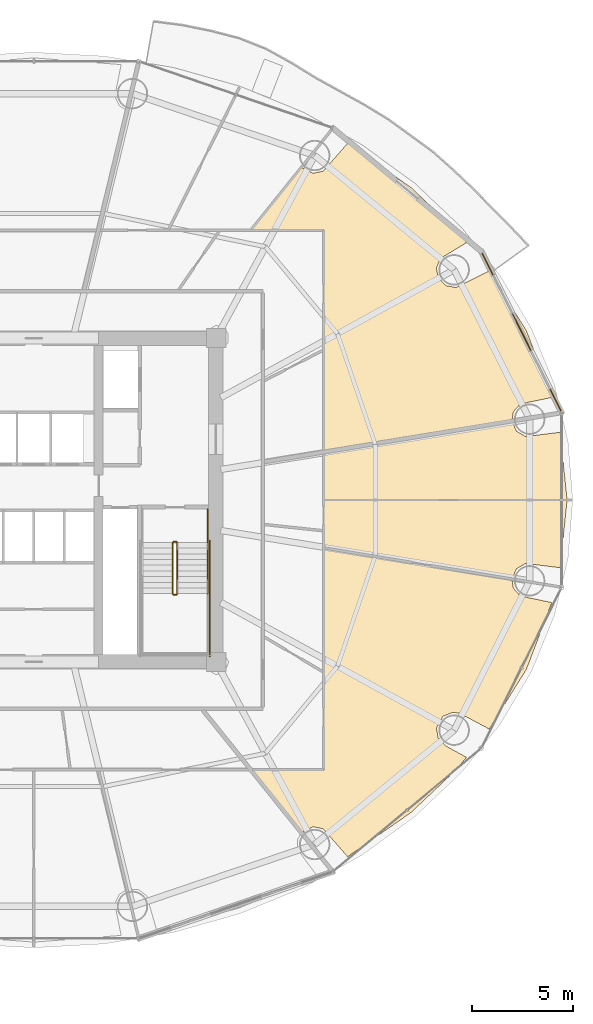
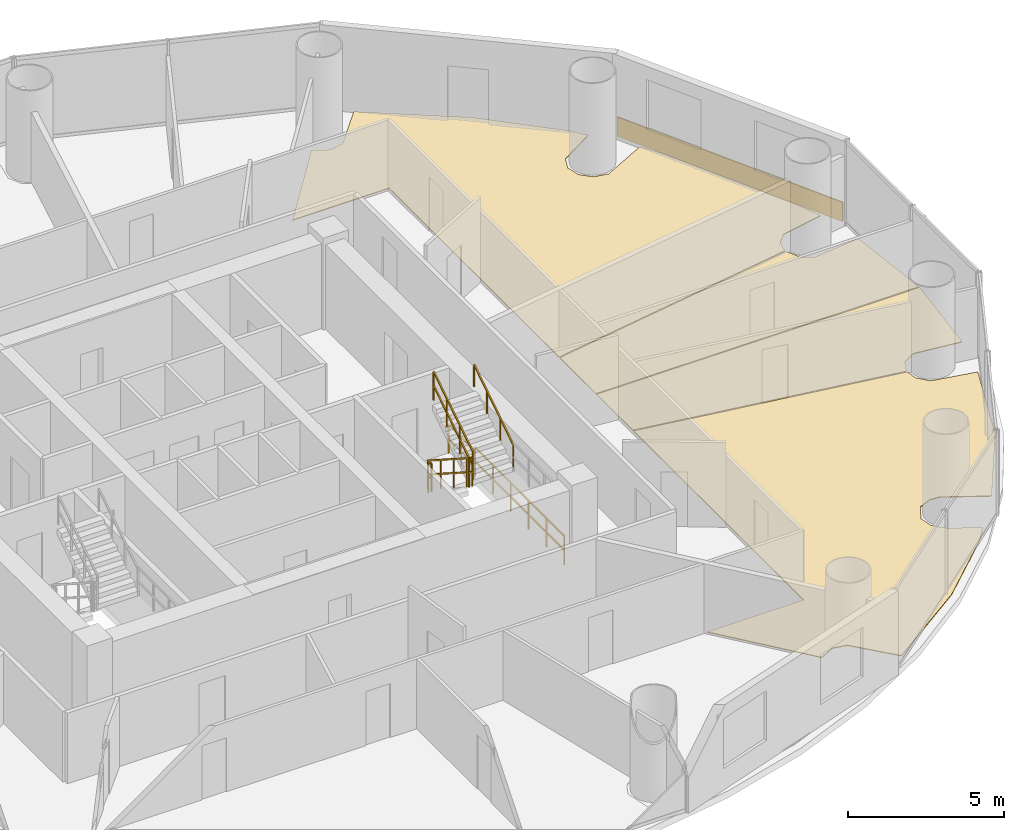
# One storey, part 28 of 29: 7 railings, 5 coverings.
"""IFC4 building model written with IfcOpenShell, lengths in metres."""

from ifc_helpers import new_model, si_unit, direction, frame, origin, origin_2d, place, context, subcontext, project, spatial, polyline, rectangle, outline, extrude, source, transform, mapped, material, layer, layer_set, type_object, element, save


model = new_model("IFC4")

# Units and contexts
model_context = context("Model", 3, precision=1e-05, world=origin(), true_north=direction((-0.2419218956, 0.970295726276)))
body_context = subcontext(model_context, "Body", "Model", "MODEL_VIEW")
ifc_project = project(units=[si_unit("LENGTHUNIT", "METRE"), si_unit("AREAUNIT", "SQUARE_METRE"), si_unit("VOLUMEUNIT", "CUBIC_METRE"), si_unit("PLANEANGLEUNIT", "RADIAN"), si_unit("MASSUNIT", "GRAM", prefix="KILO")], contexts=[model_context])

# Site, building, storey
site_placement = place(None, origin())
site = spatial("IfcSite", under=ifc_project, at=site_placement, CompositionType="ELEMENT")
building_placement = place(site_placement, origin())
building = spatial("IfcBuilding", under=site, at=building_placement, Name="Cobrevalo Terracotta Tower", CompositionType="ELEMENT")
storey_placement = place(building_placement, frame((0.0, 0.0, 123.0)))
storey = spatial("IfcBuildingStorey", under=building, at=storey_placement, Name="L32", CompositionType="ELEMENT", Elevation=123.0)

# Coverings
ifc_material_1 = material(Name="Engineered Brazilian hardwood flooring", Category="wood")
ifc_layer_1 = layer(ifc_material_1, 0.028076171875)
ifc_layer_set_1 = layer_set([ifc_layer_1], Name="Engineered Brazilian hardwood flooring")
covering_type_1 = type_object("IfcCoveringType", Name="Engineered Hardwood Suite Flooring 28", PredefinedType="FLOORING", material=ifc_layer_set_1)
covering_1_placement = place(storey_placement, origin())
element("IfcCovering", 1, at=covering_1_placement, inside=storey, type_object=covering_type_1, Name="Flat L32A Penthouse Living and Dining Room floor finish", PredefinedType="FLOORING", context=body_context, shape_type="SweptSolid", body=[
    extrude(outline(polyline([(56.6123046875, 42.227783203125), (58.882080078125, 40.081787109375), (59.35302734375, 39.49755859375), (58.05908203125, 38.712890625), (57.868408203125, 38.23876953125), (57.97314453125, 37.73876953125), (58.338134765625, 37.381103515625), (58.84033203125, 37.286376953125), (60.474853515625, 38.10546875), (62.317138671875, 35.14892578125), (63.564208984375, 31.859619140625), (62.00732421875, 31.537841796875), (61.669677734375, 31.154541015625), (61.597412109375, 30.719970703125), (52.324951171875, 29.187744140625), (52.324951171875, 40.125), (48.7421875, 40.125), (51.219970703125, 43.2060546875), (51.778076171875, 42.927490234375), (52.27880859375, 43.02880859375), (53.488525390625, 44.40673828125), (56.6123046875, 42.227783203125)])), origin(), (0.0, 0.0, 1.0), 0.030029296875),
])
covering_2_placement = place(storey_placement, origin())
element("IfcCovering", 2, at=covering_2_placement, inside=storey, type_object=covering_type_1, Name="Flat L32E Penthouse Living and Dining Room floor finish", PredefinedType="FLOORING", context=body_context, shape_type="SweptSolid", body=[
    extrude(outline(polyline([(60.474853515625, 15.49462890625), (59.00927734375, 16.278076171875), (58.667724609375, 16.315185546875), (58.19384765625, 16.12451171875), (57.8701171875, 15.53369140625), (57.96484375, 15.03173828125), (58.321533203125, 14.667236328125), (59.35302734375, 14.102294921875), (58.882080078125, 13.518310546875), (56.6123046875, 11.372314453125), (53.488525390625, 9.193359375), (52.27880859375, 10.5712890625), (51.778076171875, 10.672607421875), (51.219970703125, 10.393798828125), (48.7421875, 13.47509765625), (52.324951171875, 13.47509765625), (52.324951171875, 24.412353515625), (61.597412109375, 22.8798828125), (61.669677734375, 22.445556640625), (62.00732421875, 22.06201171875), (63.564208984375, 21.740478515625), (62.317138671875, 18.451171875), (60.474853515625, 15.49462890625)])), origin(), (0.0, 0.0, 1.0), 0.030029296875),
])
covering_3_placement = place(storey_placement, origin())
element("IfcCovering", 3, at=covering_3_placement, inside=storey, type_object=covering_type_1, Name="Flat L32E Master Bedroom floor finish", PredefinedType="FLOORING", context=body_context, shape_type="SweptSolid", body=[
    extrude(outline(polyline([(64.318359375, 26.780029296875), (63.975830078125, 23.45654296875), (62.26904296875, 23.6669921875), (61.8271484375, 23.41064453125), (61.60302734375, 22.919677734375), (52.324951171875, 24.452880859375), (52.324951171875, 26.780029296875), (64.318359375, 26.780029296875)])), origin(), (0.0, 0.0, 1.0), 0.030029296875),
])
covering_4_placement = place(storey_placement, origin())
element("IfcCovering", 4, at=covering_4_placement, inside=storey, type_object=covering_type_1, Name="Flat L32E Penthouse Family Lounge floor finish", PredefinedType="FLOORING", context=body_context, shape_type="SweptSolid", body=[
    extrude(outline(polyline([(61.60302734375, 30.680419921875), (61.8271484375, 30.189208984375), (62.26904296875, 29.932861328125), (63.975830078125, 30.143310546875), (64.318359375, 26.820068359375), (52.324951171875, 26.820068359375), (52.324951171875, 29.147216796875), (61.60302734375, 30.680419921875)])), origin(), (0.0, 0.0, 1.0), 0.030029296875),
])

# Railings
ifc_material_2 = material(Name="Brushed stainless steel", Category="steel")
railing_type_1 = type_object("IfcRailingType", Name="Stainless Steel Stair Handrail 900", PredefinedType="HANDRAIL", material=ifc_material_2)
railing_1_placement = place(storey_placement, frame((46.574951171875, 22.179931640625, 1.97998046875)))
element("IfcRailing", 5, at=railing_1_placement, inside=storey, type_object=railing_type_1, Name="L32 ST-2 stair handrail 2", PredefinedType="HANDRAIL", context=body_context, shape_type="SweptSolid", body=[
    extrude(rectangle(XDim=0.048095703125, YDim=0.048095703125, at=origin_2d()), frame((0.0, 0.0, 0.8759765625), z_axis=(0.0, 0.841162588446, 0.540782303519), x_axis=(-1.0, 0.0, 0.0)), (0.0, 0.0, 1.0), 2.995849609375),
    extrude(rectangle(XDim=0.0419921875, YDim=0.0419921875, at=origin_2d()), origin(), (0.0, 0.0, 1.0), 0.851806640625),
    extrude(rectangle(XDim=0.0419921875, YDim=0.0419921875, at=origin_2d()), frame((0.0, 0.840087890625, 0.5400390625)), (0.0, 0.0, 1.0), 0.851806640625),
    extrude(rectangle(XDim=0.0419921875, YDim=0.0419921875, at=origin_2d()), frame((0.0, 1.679931640625, 1.080078125)), (0.0, 0.0, 1.0), 0.851806640625),
    extrude(rectangle(XDim=0.0419921875, YDim=0.0419921875, at=origin_2d()), frame((0.0, 2.52001953125, 1.6201171875)), (0.0, 0.0, 1.0), 0.851806640625),
])
ifc_material_3 = material(Name="Painted galvanized steel", Category="steel")
railing_type_2 = type_object("IfcRailingType", Name="Stair Well Guard Balustrade 1150", PredefinedType="GUARDRAIL", material=ifc_material_3)
railing_2_placement = place(storey_placement, frame((44.85498046875, 24.699951171875, 0.179931640625)))
element("IfcRailing", 6, at=railing_2_placement, inside=storey, type_object=railing_type_2, Name="L32 ST-2 stair guard 1", PredefinedType="GUARDRAIL", context=body_context, shape_type="SweptSolid", body=[
    extrude(rectangle(XDim=0.048095703125, YDim=0.048095703125, at=origin_2d()), frame((0.0, 0.0, 1.1259765625), z_axis=(0.0, -0.841162588446, 0.540782303519), x_axis=(1.0, 0.0, 0.0)), (0.0, 0.0, 1.0), 2.995849609375),
    extrude(rectangle(XDim=0.048095703125, YDim=0.048095703125, at=origin_2d()), frame((0.0, 0.0, 0.574951171875), z_axis=(0.0, -0.841162588446, 0.540782303519), x_axis=(1.0, 0.0, 0.0)), (0.0, 0.0, 1.0), 2.995849609375),
    extrude(rectangle(XDim=0.0419921875, YDim=0.0419921875, at=origin_2d()), origin(), (0.0, 0.0, 1.0), 1.101806640625),
    extrude(rectangle(XDim=0.0419921875, YDim=0.0419921875, at=origin_2d()), frame((0.0, -0.840087890625, 0.5400390625)), (0.0, 0.0, 1.0), 1.101806640625),
    extrude(rectangle(XDim=0.0419921875, YDim=0.0419921875, at=origin_2d()), frame((0.0, -1.679931640625, 1.080078125)), (0.0, 0.0, 1.0), 1.101806640625),
    extrude(rectangle(XDim=0.0419921875, YDim=0.0419921875, at=origin_2d()), frame((0.0, -2.52001953125, 1.6201171875)), (0.0, 0.0, 1.0), 1.101806640625),
])
railing_3_placement = place(storey_placement, frame((44.905029296875, 22.1298828125, 1.800048828125)))
element("IfcRailing", 7, at=railing_3_placement, inside=storey, type_object=railing_type_2, Name="L32 ST-2 stair guard 2", PredefinedType="GUARDRAIL", context=body_context, shape_type="SweptSolid", body=[
    extrude(rectangle(XDim=0.048095703125, YDim=0.048095703125, at=origin_2d()), frame((0.0, 0.0, 1.1259765625), z_axis=(1.0, 0.0, 0.0), x_axis=(0.0, 1.0, 0.0)), (0.0, 0.0, 1.0), 0.119873046875),
    extrude(rectangle(XDim=0.048095703125, YDim=0.048095703125, at=origin_2d()), frame((0.0, 0.0, 0.574951171875), z_axis=(1.0, 0.0, 0.0), x_axis=(0.0, 1.0, 0.0)), (0.0, 0.0, 1.0), 0.119873046875),
    extrude(rectangle(XDim=0.0419921875, YDim=0.0419921875, at=origin_2d()), origin(), (0.0, 0.0, 1.0), 1.101806640625),
    extrude(rectangle(XDim=0.0419921875, YDim=0.0419921875, at=origin_2d()), frame((0.119873046875, 0.0, 0.0)), (0.0, 0.0, 1.0), 1.101806640625),
])
railing_4_placement = place(storey_placement, frame((45.074951171875, 22.179931640625, 1.97998046875)))
element("IfcRailing", 8, at=railing_4_placement, inside=storey, type_object=railing_type_2, Name="L32 ST-2 stair guard 6", PredefinedType="GUARDRAIL", context=body_context, shape_type="SweptSolid", body=[
    extrude(rectangle(XDim=0.048095703125, YDim=0.048095703125, at=origin_2d()), frame((0.0, 0.0, 1.1259765625), z_axis=(0.0, 0.841162588446, 0.540782303519), x_axis=(-1.0, 0.0, 0.0)), (0.0, 0.0, 1.0), 2.995849609375),
    extrude(rectangle(XDim=0.048095703125, YDim=0.048095703125, at=origin_2d()), frame((0.0, 0.0, 0.574951171875), z_axis=(0.0, 0.841162588446, 0.540782303519), x_axis=(-1.0, 0.0, 0.0)), (0.0, 0.0, 1.0), 2.995849609375),
    extrude(rectangle(XDim=0.0419921875, YDim=0.0419921875, at=origin_2d()), origin(), (0.0, 0.0, 1.0), 1.101806640625),
    extrude(rectangle(XDim=0.0419921875, YDim=0.0419921875, at=origin_2d()), frame((0.0, 0.840087890625, 0.5400390625)), (0.0, 0.0, 1.0), 1.101806640625),
    extrude(rectangle(XDim=0.0419921875, YDim=0.0419921875, at=origin_2d()), frame((0.0, 1.679931640625, 1.080078125)), (0.0, 0.0, 1.0), 1.101806640625),
    extrude(rectangle(XDim=0.0419921875, YDim=0.0419921875, at=origin_2d()), frame((0.0, 2.52001953125, 1.6201171875)), (0.0, 0.0, 1.0), 1.101806640625),
])
railing_5_placement = place(storey_placement, frame((44.905029296875, 24.75, 0.0)))
element("IfcRailing", 9, at=railing_5_placement, inside=storey, type_object=railing_type_2, Name="L32 ST-2 stair guard 7", PredefinedType="GUARDRAIL", context=body_context, shape_type="SweptSolid", body=[
    extrude(rectangle(XDim=0.048095703125, YDim=0.048095703125, at=origin_2d()), frame((0.0, 0.0, 1.1259765625), z_axis=(1.0, 0.0, 0.0), x_axis=(0.0, 1.0, 0.0)), (0.0, 0.0, 1.0), 0.119873046875),
    extrude(rectangle(XDim=0.048095703125, YDim=0.048095703125, at=origin_2d()), frame((0.0, 0.0, 0.574951171875), z_axis=(1.0, 0.0, 0.0), x_axis=(0.0, 1.0, 0.0)), (0.0, 0.0, 1.0), 0.119873046875),
    extrude(rectangle(XDim=0.0419921875, YDim=0.0419921875, at=origin_2d()), origin(), (0.0, 0.0, 1.0), 1.101806640625),
    extrude(rectangle(XDim=0.0419921875, YDim=0.0419921875, at=origin_2d()), frame((0.119873046875, 0.0, 0.0)), (0.0, 0.0, 1.0), 1.101806640625),
])
railing_6_placement = place(storey_placement, frame((46.574951171875, 26.35009765625, 0.0)))
element("IfcRailing", 10, at=railing_6_placement, inside=storey, type_object=railing_type_2, Name="L32 ST-2 stair guard 9", PredefinedType="GUARDRAIL", context=body_context, shape_type="SweptSolid", body=[
    extrude(rectangle(XDim=0.048095703125, YDim=0.048095703125, at=origin_2d()), frame((0.0, 0.0, 1.1259765625), z_axis=(0.0, -1.0, 0.0), x_axis=(1.0, 0.0, 0.0)), (0.0, 0.0, 1.0), 1.650146484375),
    extrude(rectangle(XDim=0.048095703125, YDim=0.048095703125, at=origin_2d()), frame((0.0, 0.0, 0.574951171875), z_axis=(0.0, -1.0, 0.0), x_axis=(1.0, 0.0, 0.0)), (0.0, 0.0, 1.0), 1.650146484375),
    extrude(rectangle(XDim=0.0419921875, YDim=0.0419921875, at=origin_2d()), origin(), (0.0, 0.0, 1.0), 1.101806640625),
    extrude(rectangle(XDim=0.0419921875, YDim=0.0419921875, at=origin_2d()), frame((0.0, -0.8251953125, 0.0)), (0.0, 0.0, 1.0), 1.101806640625),
    extrude(rectangle(XDim=0.0419921875, YDim=0.0419921875, at=origin_2d()), frame((0.0, -1.650146484375, 0.0)), (0.0, 0.0, 1.0), 1.101806640625),
])
railing_7_placement = place(storey_placement, frame((46.675048828125, 24.800048828125, 0.0)))
element("IfcRailing", 11, at=railing_7_placement, inside=storey, type_object=railing_type_2, Name="L32 ST-2 stair guard 11", PredefinedType="GUARDRAIL", context=body_context, shape_type="SweptSolid", body=[
    extrude(rectangle(XDim=0.048095703125, YDim=0.048095703125, at=origin_2d()), frame((0.0, 0.0, 1.1259765625), z_axis=(0.0, -1.0, 0.0), x_axis=(1.0, 0.0, 0.0)), (0.0, 0.0, 1.0), 5.72509765625),
    extrude(rectangle(XDim=0.048095703125, YDim=0.048095703125, at=origin_2d()), frame((0.0, 0.0, 0.574951171875), z_axis=(0.0, -1.0, 0.0), x_axis=(1.0, 0.0, 0.0)), (0.0, 0.0, 1.0), 5.72509765625),
    extrude(rectangle(XDim=0.0419921875, YDim=0.0419921875, at=origin_2d()), origin(), (0.0, 0.0, 1.0), 1.101806640625),
    extrude(rectangle(XDim=0.0419921875, YDim=0.0419921875, at=origin_2d()), frame((0.0, -1.14501953125, 0.0)), (0.0, 0.0, 1.0), 1.101806640625),
    extrude(rectangle(XDim=0.0419921875, YDim=0.0419921875, at=origin_2d()), frame((0.0, -2.2900390625, 0.0)), (0.0, 0.0, 1.0), 1.101806640625),
    extrude(rectangle(XDim=0.0419921875, YDim=0.0419921875, at=origin_2d()), frame((0.0, -3.43505859375, 0.0)), (0.0, 0.0, 1.0), 1.101806640625),
    extrude(rectangle(XDim=0.0419921875, YDim=0.0419921875, at=origin_2d()), frame((0.0, -4.580078125, 0.0)), (0.0, 0.0, 1.0), 1.101806640625),
    extrude(rectangle(XDim=0.0419921875, YDim=0.0419921875, at=origin_2d()), frame((0.0, -5.72509765625, 0.0)), (0.0, 0.0, 1.0), 1.101806640625),
])

# Covering
ifc_material_4 = material(Name="Glazed terracotta facade cladding tile", Category="masonry")
ifc_layer_2 = layer(ifc_material_4, 0.044921875)
ifc_layer_set_2 = layer_set([ifc_layer_2], Name="Glazed terracotta facade cladding tile")
covering_type_2 = type_object("IfcCoveringType", Name="Architectural terracotta rainscreen spandrel cladding 45 mm", PredefinedType="CLADDING", material=ifc_layer_set_2)
shared_shape = source(origin(), body_context, "Body", "SweptSolid", [
    extrude(rectangle(XDim=8.690185546875, YDim=0.044921875, at=origin_2d()), origin(), (0.0, 0.0, 1.0), 0.760009765625),
])
covering_5_placement = place(storey_placement, frame((62.075927734375, 35.08349609375, 0.0400390625), z_axis=(0.0, 0.0, 1.0), x_axis=(-0.446261852127, 0.894902430065, 0.0)))
element("IfcCovering", 12, at=covering_5_placement, inside=storey, type_object=covering_type_2, Name="L32 terracotta spandrel cladding S01", PredefinedType="CLADDING", context=body_context, shape_type="MappedRepresentation", body=[
    mapped(shared_shape, transform((0.0, 0.0, 0.0), scale=1.0)),
])

save(model, "model.ifc")
